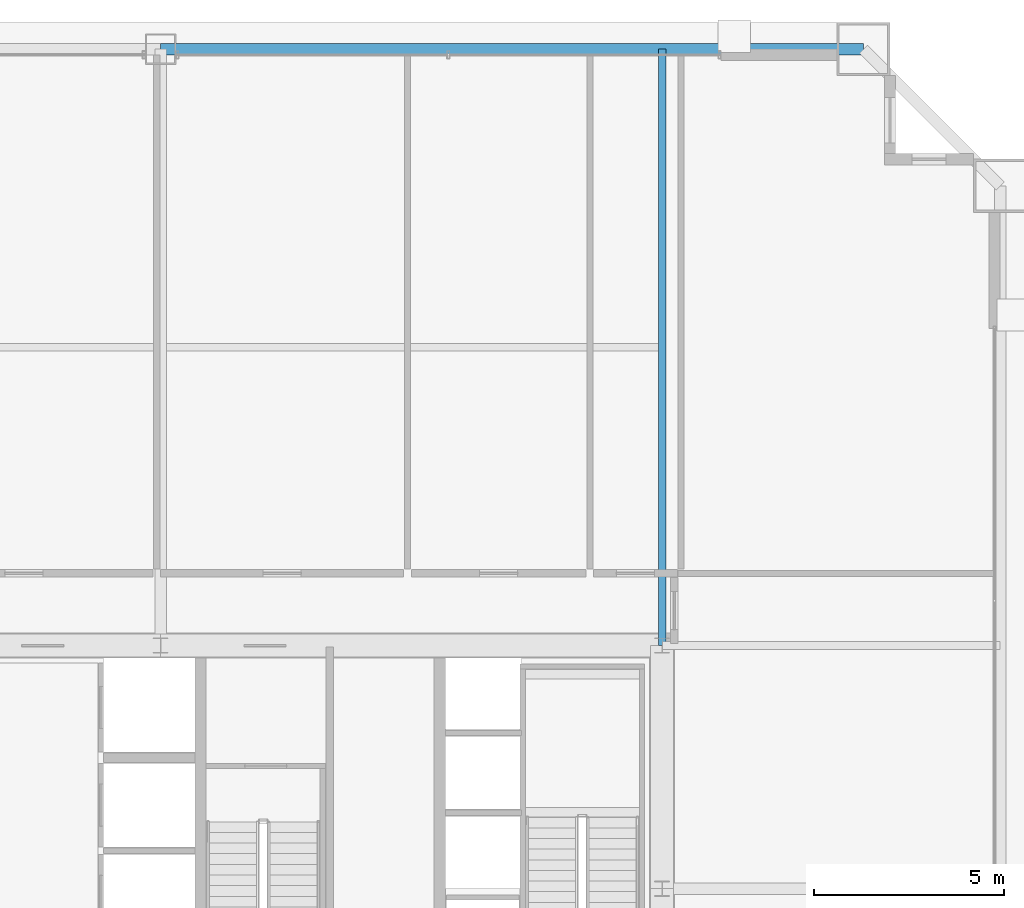
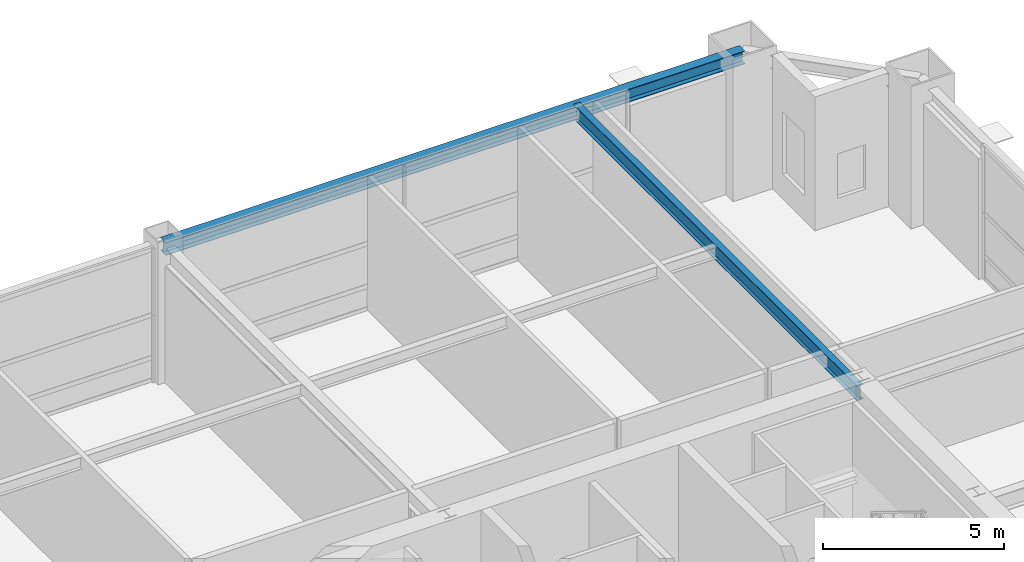
# One storey, part 28 of 34: 2 beams.
"""IFC4 building model written with IfcOpenShell, lengths in metres."""

from ifc_helpers import new_model, si_unit, direction, frame, origin, origin_2d, place, context, subcontext, project, spatial, i_section, extrude, source, transform, mapped, material, material_profile, profile_set, type_object, element, save


model = new_model("IFC4")

# Units and contexts
model_context = context("Model", 3, precision=1e-05, world=origin(), true_north=direction((0.0, 1.0)))
body_context = subcontext(model_context, "Body", "Model", "MODEL_VIEW")
ifc_project = project(units=[si_unit("LENGTHUNIT", "METRE"), si_unit("AREAUNIT", "SQUARE_METRE"), si_unit("VOLUMEUNIT", "CUBIC_METRE"), si_unit("PLANEANGLEUNIT", "RADIAN"), si_unit("MASSUNIT", "GRAM", prefix="KILO"), si_unit("THERMODYNAMICTEMPERATUREUNIT", "KELVIN"), si_unit("POWERUNIT", "WATT")], contexts=[model_context])

# Site, building, storey
site_placement = place(None, origin())
site = spatial("IfcSite", under=ifc_project, at=site_placement, CompositionType="ELEMENT")
building_placement = place(site_placement, origin())
building = spatial("IfcBuilding", under=site, at=building_placement, Name="Yuzanri Waterfront Tower", CompositionType="ELEMENT")
storey_placement = place(building_placement, frame((0.0, 0.0, 171.60009765625)))
storey = spatial("IfcBuildingStorey", under=building, at=storey_placement, Name="L45", CompositionType="ELEMENT", Elevation=171.60009765625)

# Beams
ifc_material_1 = material(Name="Steel Q355B", Category="steel")
ifc_material_profile_1 = material_profile(ifc_material_1, i_section(OverallWidth=0.300048828125, OverallDepth=0.43994140625, WebThickness=0.010986328125, FlangeThickness=0.01806640625, at=origin_2d()), Name="HM 440x300x11x18")
ifc_profile_set_1 = profile_set([ifc_material_profile_1], Name="Steel Q355B")
beam_type_1 = type_object("IfcBeamType", Name="Perimeter Spandrel Q355B HM 440x300", PredefinedType="SPANDREL", material=ifc_profile_set_1)
shared_shape_1 = source(origin(), body_context, "Body", "SweptSolid", [
    extrude(i_section(OverallWidth=0.300048828125, OverallDepth=0.43994140625, WebThickness=0.010986328125, FlangeThickness=0.01806640625, at=origin_2d()), origin(), (0.0, 0.0, 1.0), 18.5),
])
beam_1_placement = place(storey_placement, frame((55.5, 47.89990234375, 4.2998046875), z_axis=(-1.0, 0.0, 0.0), x_axis=(0.0, -1.0, 0.0)))
element("IfcBeam", 1, at=beam_1_placement, inside=storey, type_object=beam_type_1, Name="L45 Perimeter Spandrel N3-N2", PredefinedType="SPANDREL", context=body_context, shape_type="MappedRepresentation", body=[
    mapped(shared_shape_1, transform((0.0, 0.0, 0.0), scale=1.0)),
])
ifc_material_2 = material(Name="Steel Q355B", Category="steel")
ifc_material_profile_2 = material_profile(ifc_material_2, i_section(OverallWidth=0.199951171875, OverallDepth=0.5, WebThickness=0.010009765625, FlangeThickness=0.01611328125, at=origin_2d()), Name="HN 500x200x10x16")
ifc_profile_set_2 = profile_set([ifc_material_profile_2], Name="Steel Q355B")
beam_type_2 = type_object("IfcBeamType", Name="Secondary Floor Beam Q355B HN 500x200", PredefinedType="BEAM", material=ifc_profile_set_2)
shared_shape_2 = source(origin(), body_context, "Body", "SweptSolid", [
    extrude(i_section(OverallWidth=0.199951171875, OverallDepth=0.5, WebThickness=0.010009765625, FlangeThickness=0.01611328125, at=origin_2d()), origin(), (0.0, 0.0, 1.0), 15.699951171875),
])
beam_2_placement = place(storey_placement, frame((50.199951171875, 32.199951171875, 4.27001953125), z_axis=(0.0, 1.0, 0.0), x_axis=(-1.0, 0.0, 0.0)))
element("IfcBeam", 2, at=beam_2_placement, inside=storey, type_object=beam_type_2, Name="L45 North-East Core Line Beam", PredefinedType="BEAM", context=body_context, shape_type="MappedRepresentation", body=[
    mapped(shared_shape_2, transform((0.0, 0.0, 0.0), scale=1.0)),
])

save(model, "model.ifc")
